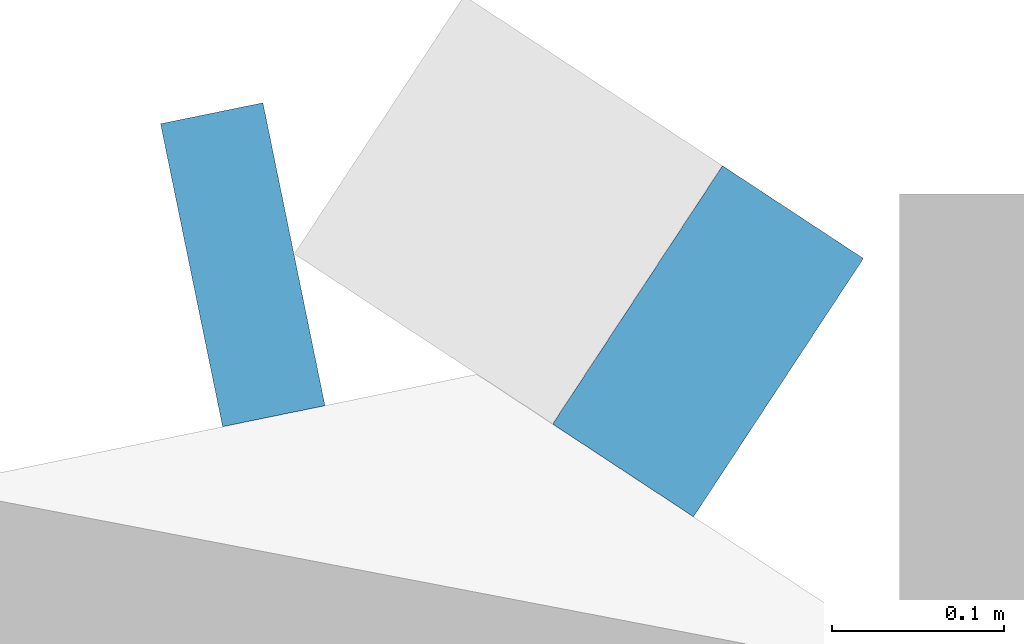
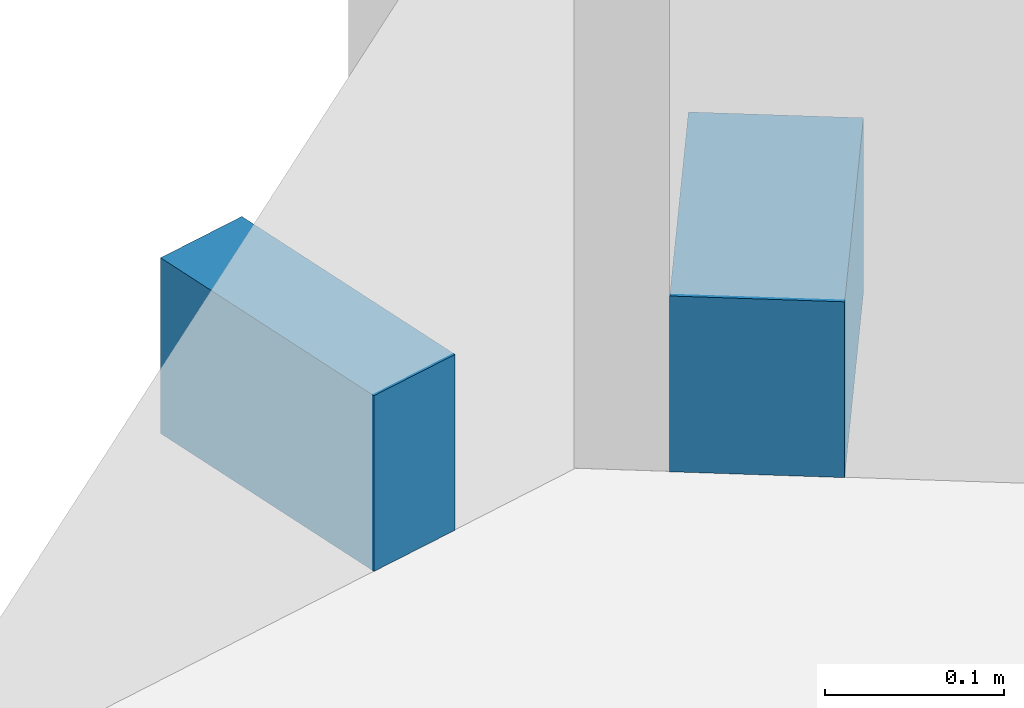
# One storey, part 15 of 24: 2 members, 2 elements without a shape of their own.
"""IFC4 building model written with IfcOpenShell, lengths in metres."""

import ifcopenshell
import ifcopenshell.guid

model = None  # the IFC model being written
_history = None  # IfcOwnerHistory: only IFC2X3 demands one
_inside = {}  # id of a spatial element -> (the spatial element, [elements in it])
_under = {}  # id of a project, library or spatial element -> (it, [spatial elements below it])
_declared = {}  # id of a project -> (the project, [libraries it declares])
_typed = {}  # id of a type object -> (the type object, [elements of that type])
_made_of = {}  # id of a material, layer set ... -> (it, [elements and type objects made of it])


def new_model(schema):
    """Start an empty IFC model of exactly this schema.

    Asked for "IFC4X3", IfcOpenShell would pick the latest addendum, in which some entities
    have other attributes; the version numbers below select the first issue.
    IFC2X3 requires an IfcOwnerHistory on every rooted entity: one is made here for all.
    """
    global model, _history
    if schema == "IFC4X3":
        model = ifcopenshell.file(schema_version=(4, 3, 0, 0))
    else:
        model = ifcopenshell.file(schema=schema)
    _inside.clear()
    _under.clear()
    _declared.clear()
    _typed.clear()
    _made_of.clear()
    _history = None
    if model.schema == "IFC2X3":
        org = make("IfcOrganization", Name="unknown")
        user = make(
            "IfcPersonAndOrganization",
            ThePerson=make("IfcPerson", FamilyName="unknown"),
            TheOrganization=org,
        )
        app = make(
            "IfcApplication",
            ApplicationDeveloper=org,
            Version="unknown",
            ApplicationFullName="unknown",
            ApplicationIdentifier="unknown",
        )
        _history = make(
            "IfcOwnerHistory",
            OwningUser=user,
            OwningApplication=app,
            ChangeAction="ADDED",
            CreationDate=0,
        )
    return model


def make(cls, **values):
    """One entity of the class cls with the attributes given. An attribute that is None is left unset."""
    return model.create_entity(
        cls, **{name: value for name, value in values.items() if value is not None}
    )


def rooted(cls, **values):
    """An entity with a GlobalId (a new one), such as an element, a storey or a relation."""
    return make(cls, GlobalId=ifcopenshell.guid.new(), OwnerHistory=_history, **values)


def si_unit(unit_type, name, prefix=None):
    """IfcSIUnit, for example si_unit("LENGTHUNIT", "METRE", prefix="MILLI")."""
    return make("IfcSIUnit", UnitType=unit_type, Prefix=prefix, Name=name)


def assignment(units):
    """IfcUnitAssignment: the units of a project."""
    return None if units is None else make("IfcUnitAssignment", Units=units)


def point(xyz):
    """IfcCartesianPoint."""
    return None if xyz is None else make("IfcCartesianPoint", Coordinates=xyz)


def direction(xyz):
    """IfcDirection."""
    return None if xyz is None else make("IfcDirection", DirectionRatios=xyz)


def frame(location, z_axis=None, x_axis=None):
    """IfcAxis2Placement3D, a coordinate frame: its origin and axes. An axis left out is left unset."""
    return make(
        "IfcAxis2Placement3D",
        Location=point(location),
        Axis=direction(z_axis),
        RefDirection=direction(x_axis),
    )


def frame_2d(location, x_axis=None):
    """IfcAxis2Placement2D, a coordinate frame in the plane: its origin and x axis."""
    return make(
        "IfcAxis2Placement2D", Location=point(location), RefDirection=direction(x_axis)
    )


def origin():
    """The frame at (0, 0, 0) with its axes left unset."""
    return frame((0.0, 0.0, 0.0))


def origin_2d():
    """The frame at (0, 0) in the plane with its x axis left unset."""
    return frame_2d((0.0, 0.0))


def place(relative_to, where):
    """IfcLocalPlacement: puts the frame where relative to a parent placement (None: the world)."""
    return make(
        "IfcLocalPlacement", PlacementRelTo=relative_to, RelativePlacement=where
    )


def context(
    kind, dimensions, precision=None, world=None, true_north=None, identifier=None
):
    """IfcGeometricRepresentationContext, for example the 3D "Model" context."""
    return make(
        "IfcGeometricRepresentationContext",
        ContextIdentifier=identifier,
        ContextType=kind,
        CoordinateSpaceDimension=dimensions,
        Precision=precision,
        WorldCoordinateSystem=world,
        TrueNorth=true_north,
    )


def subcontext(parent, identifier, kind, view, scale=None):
    """IfcGeometricRepresentationSubContext, for example "Body" below "Model"."""
    return make(
        "IfcGeometricRepresentationSubContext",
        ContextIdentifier=identifier,
        ContextType=kind,
        ParentContext=parent,
        TargetScale=scale,
        TargetView=view,
    )


def project(units=None, contexts=None):
    """IfcProject with its units and contexts."""
    return rooted(
        "IfcProject",
        Name="project",
        RepresentationContexts=contexts,
        UnitsInContext=assignment(units),
    )


def spatial(cls, under=None, at=None, **own):
    """A site, building, storey or space (cls), placed at a placement, below another one or the project."""
    s = rooted(cls, ObjectPlacement=at, **own)
    if under is not None:
        _under.setdefault(under.id(), (under, []))[1].append(s)
    return s


def profile(cls, at=None, kind="AREA", **sizes):
    """A parametric profile (cls). Its sizes go by their IFC names, for example OverallWidth=200.0."""
    return make(cls, ProfileType=kind, Position=at, **sizes)


def rectangle(**sizes):
    """IfcRectangleProfileDef."""
    return profile("IfcRectangleProfileDef", **sizes)


def extrude(swept, where, along, depth):
    """IfcExtrudedAreaSolid: the profile swept, set in the frame where, extruded along a direction by depth."""
    return make(
        "IfcExtrudedAreaSolid",
        SweptArea=swept,
        Position=where,
        ExtrudedDirection=direction(along),
        Depth=depth,
    )


def shape(context_of_items, identifier, shape_type, items):
    """IfcShapeRepresentation: the items that make up one representation, for example the "Body"."""
    return make(
        "IfcShapeRepresentation",
        ContextOfItems=context_of_items,
        RepresentationIdentifier=identifier,
        RepresentationType=shape_type,
        Items=items,
    )


def material(Name=None, Category=None):
    """IfcMaterial."""
    return make("IfcMaterial", Name=Name, Category=Category)


def material_profile(
    of_material, cross_section, Name=None, Category=None, Priority=None
):
    """IfcMaterialProfile: a cross section and its material."""
    return make(
        "IfcMaterialProfile",
        Name=Name,
        Material=of_material,
        Profile=cross_section,
        Priority=Priority,
        Category=Category,
    )


def profile_set(profiles, Name=None, composite=None):
    """IfcMaterialProfileSet."""
    return make(
        "IfcMaterialProfileSet",
        Name=Name,
        MaterialProfiles=profiles,
        CompositeProfile=composite,
    )


def made_of(thing, what):
    """Note that an element or type object is made of a material, layer set ...; save() writes the relation."""
    if what is not None:
        _made_of.setdefault(what.id(), (what, []))[1].append(thing)
    return thing


def type_object(cls, material=None, **own):
    """A type object (cls), such as IfcWallType, which elements share."""
    return made_of(rooted(cls, **own), material)


def element(
    cls,
    number,
    at=None,
    inside=None,
    cuts=None,
    type_object=None,
    material=None,
    context=None,
    identifier="Body",
    shape_type=None,
    held_by="IfcProductDefinitionShape",
    body=None,
    shapes=None,
    **own,
):
    """One element of the class cls, such as IfcWall. Its Tag is "e" and its number.

    at: its placement. inside: the storey or other place that contains it. cuts: it is an
    opening in that element (IfcRelVoidsElement). A single representation is given by context,
    identifier, shape_type and body (its items); several are given by shapes. held_by: the class
    of the entity that holds the representations. save() writes the other relations.
    """
    e = rooted(cls, Tag="e%d" % number, ObjectPlacement=at, **own)
    if body is not None:
        shapes = [shape(context, identifier, shape_type, body)]
    if shapes is not None:
        e.Representation = make(held_by, Representations=shapes)
    if inside is not None:
        _inside.setdefault(inside.id(), (inside, []))[1].append(e)
    if cuts is not None:
        rooted(
            "IfcRelVoidsElement", RelatingBuildingElement=cuts, RelatedOpeningElement=e
        )
    if type_object is not None:
        _typed.setdefault(type_object.id(), (type_object, []))[1].append(e)
    return made_of(e, material)


def aggregate(whole, parts):
    """IfcRelAggregates: a whole, such as a stair, and the parts it consists of."""
    return rooted("IfcRelAggregates", RelatingObject=whole, RelatedObjects=parts)


def save(model, path):
    """Write the relations noted so far, then the file.

    IfcRelAggregates (storeys below a building ...), IfcRelContainedInSpatialStructure (elements
    in a storey), IfcRelDefinesByType, IfcRelAssociatesMaterial and IfcRelDeclares: one each for
    every whole, place, type object, material and project.
    """
    for whole, parts in _under.values():
        aggregate(whole, parts)
    for where, things in _inside.values():
        rooted(
            "IfcRelContainedInSpatialStructure",
            RelatedElements=things,
            RelatingStructure=where,
        )
    for kind, things in _typed.values():
        rooted("IfcRelDefinesByType", RelatedObjects=things, RelatingType=kind)
    for what, things in _made_of.values():
        rooted("IfcRelAssociatesMaterial", RelatedObjects=things, RelatingMaterial=what)
    for by, libraries in _declared.values():
        rooted("IfcRelDeclares", RelatingContext=by, RelatedDefinitions=libraries)
    model.write(path)


model = new_model("IFC4")

# Units and contexts
model_context = context("Model", 3, precision=1e-05, world=origin(), true_north=direction((0.0, 1.0)))
body_context = subcontext(model_context, "Body", "Model", "MODEL_VIEW")
ifc_project = project(units=[si_unit("LENGTHUNIT", "METRE"), si_unit("AREAUNIT", "SQUARE_METRE"), si_unit("VOLUMEUNIT", "CUBIC_METRE"), si_unit("PLANEANGLEUNIT", "RADIAN"), si_unit("MASSUNIT", "GRAM", prefix="KILO")], contexts=[model_context])

# Site, building, storey
site_placement = place(None, origin())
site = spatial("IfcSite", under=ifc_project, at=site_placement, CompositionType="ELEMENT")
building_placement = place(site_placement, origin())
building = spatial("IfcBuilding", under=site, at=building_placement, Name="Orlundy Tower", CompositionType="ELEMENT")
storey_placement = place(building_placement, frame((0.0, 0.0, 246.0)))
storey = spatial("IfcBuildingStorey", under=building, at=storey_placement, Name="L65", CompositionType="ELEMENT", Elevation=246.0)

# Curtain wall, member
ifc_material_1 = material(Name="Aluminium bronze anodised", Category="aluminium")
curtain_wall_type = type_object("IfcCurtainWallType", Name="CW1 wall", PredefinedType="NOTDEFINED", material=ifc_material_1)
curtain_wall_1_placement = place(storey_placement, origin())
curtain_wall_1 = element("IfcCurtainWall", 1, at=curtain_wall_1_placement, inside=storey, type_object=curtain_wall_type, Name="CW1 run 016", PredefinedType="NOTDEFINED")
ifc_material_2 = material(Name="Aluminium bronze anodised", Category="aluminium")
ifc_material_profile = material_profile(ifc_material_2, rectangle(XDim=0.179931640625, YDim=0.1201171875, at=origin_2d()), Name="CW1 transom 180x120")
ifc_profile_set = profile_set([ifc_material_profile], Name="Aluminium bronze anodised")
member_type = type_object("IfcMemberType", Name="CW1 transom 180x120", PredefinedType="USERDEFINED", material=ifc_profile_set)
member_1_placement = place(storey_placement, frame((5.93701171875, 31.95068359375, -0.340087890625), z_axis=(0.97964320999, 0.200746559424, 0.0), x_axis=(-0.200746559424, 0.97964320999, 0.0)))
member_1 = element("IfcMember", 2, at=member_1_placement, type_object=member_type, Name="CW1 transom", ObjectType="TRANSOM", PredefinedType="USERDEFINED", context=body_context, shape_type="SweptSolid", body=[
    extrude(rectangle(XDim=0.179931640625, YDim=0.1201171875, at=origin_2d()), origin(), (0.0, 0.0, 1.0), 0.060791015625),
])
aggregate(curtain_wall_1, [member_1])

curtain_wall_2_placement = place(storey_placement, origin())
curtain_wall_2 = element("IfcCurtainWall", 3, at=curtain_wall_2_placement, inside=storey, type_object=curtain_wall_type, Name="CW1 run 017", PredefinedType="NOTDEFINED")
member_2_placement = place(storey_placement, frame((6.196533203125, 31.939208984375, -0.340087890625), z_axis=(0.835477167613, -0.549525160841, 0.0), x_axis=(0.549525160841, 0.835477167613, 0.0)))
member_2 = element("IfcMember", 4, at=member_2_placement, type_object=member_type, Name="CW1 transom", ObjectType="TRANSOM", PredefinedType="USERDEFINED", context=body_context, shape_type="SweptSolid", body=[
    extrude(rectangle(XDim=0.179931640625, YDim=0.1201171875, at=origin_2d()), origin(), (0.0, 0.0, 1.0), 0.09814453125),
])
aggregate(curtain_wall_2, [member_2])

save(model, "model.ifc")
